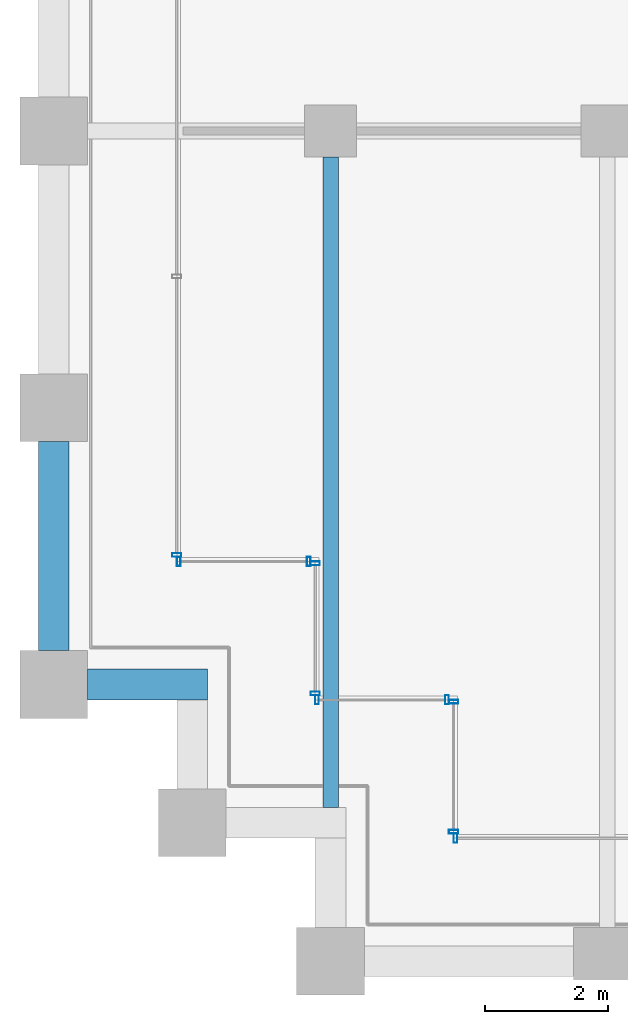
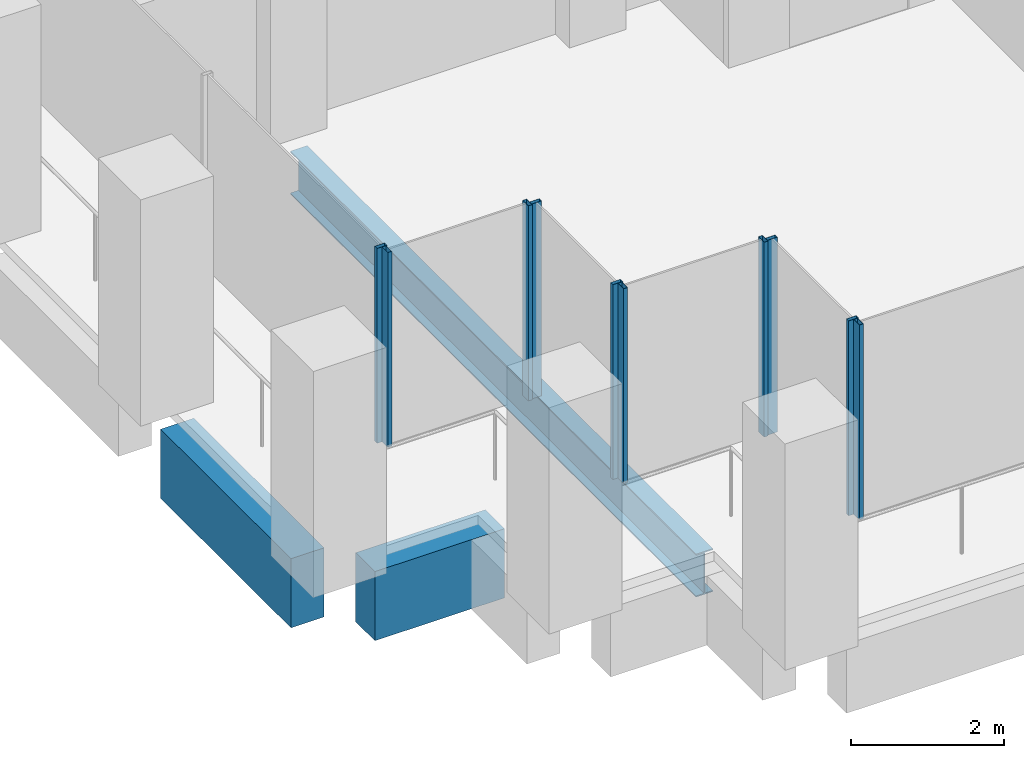
# One storey, part 2 of 56: 10 members, 3 beams, 6 elements without a shape of their own.
"""IFC4 building model written with IfcOpenShell, lengths in metres."""

from ifc_helpers import new_model, si_unit, direction, frame, origin, origin_2d, place, context, subcontext, project, spatial, rectangle, hollow_rectangle, i_section, extrude, material, material_profile, profile_set, type_object, element, aggregate, save


model = new_model("IFC4")

# Units and contexts
model_context = context("Model", 3, precision=1e-05, world=origin(), true_north=direction((0.0, 1.0)))
body_context = subcontext(model_context, "Body", "Model", "MODEL_VIEW")
ifc_project = project(units=[si_unit("LENGTHUNIT", "METRE"), si_unit("AREAUNIT", "SQUARE_METRE"), si_unit("VOLUMEUNIT", "CUBIC_METRE"), si_unit("PLANEANGLEUNIT", "RADIAN"), si_unit("MASSUNIT", "GRAM", prefix="KILO")], contexts=[model_context])

# Site, building, storey
site_placement = place(None, origin())
site = spatial("IfcSite", under=ifc_project, at=site_placement, CompositionType="ELEMENT")
building_placement = place(site_placement, origin())
building = spatial("IfcBuilding", under=site, at=building_placement, Name="Altepetl Exchange Towers", CompositionType="ELEMENT")
storey_placement = place(building_placement, frame((0.0, 0.0, 69.0)))
storey = spatial("IfcBuildingStorey", under=building, at=storey_placement, Name="L16", CompositionType="ELEMENT", Elevation=69.0)

# Beam
ifc_material_1 = material(Name="Steel S355", Category="steel")
ifc_material_profile_1 = material_profile(ifc_material_1, i_section(OverallWidth=0.25390625, OverallDepth=0.68408203125, WebThickness=0.012451171875, FlangeThickness=0.018798828125, at=origin_2d()), Name="W27X94")
ifc_profile_set_1 = profile_set([ifc_material_profile_1], Name="Steel S355")
beam_type_1 = type_object("IfcBeamType", Name="Floor beam W27X94", PredefinedType="BEAM", material=ifc_profile_set_1)
beam_1_placement = place(storey_placement, frame((31.5, 29.5, -0.491943359375), z_axis=(0.0, 1.0, 0.0), x_axis=(-1.0, 0.0, 0.0)))
element("IfcBeam", 1, at=beam_1_placement, inside=storey, type_object=beam_type_1, Name="bm:A:L16:012", PredefinedType="BEAM", context=body_context, shape_type="SweptSolid", body=[
    extrude(i_section(OverallWidth=0.25390625, OverallDepth=0.68408203125, WebThickness=0.012451171875, FlangeThickness=0.018798828125, at=origin_2d()), origin(), (0.0, 0.0, 1.0), 10.574951171875),
])

# Curtain wall, member
ifc_material_2 = material(Name="Aluminium 6063-T6 glazing", Category="aluminium")
curtain_wall_type = type_object("IfcCurtainWallType", Name="Loggia glazing system", PredefinedType="NOTDEFINED", material=ifc_material_2)
curtain_wall_1_placement = place(storey_placement, origin())
curtain_wall_1 = element("IfcCurtainWall", 2, at=curtain_wall_1_placement, inside=storey, type_object=curtain_wall_type, Name="CW1 run", PredefinedType="NOTDEFINED")
ifc_material_3 = material(Name="Aluminium 6063-T6", Category="aluminium")
ifc_material_profile_2 = material_profile(ifc_material_3, hollow_rectangle(XDim=0.06005859375, YDim=0.14990234375, WallThickness=0.0029296875, at=origin_2d()), Name="Mullion 60x150 aluminium")
ifc_profile_set_2 = profile_set([ifc_material_profile_2], Name="Aluminium 6063-T6")
member_type = type_object("IfcMemberType", Name="Mullion 60x150 aluminium", PredefinedType="MULLION", material=ifc_profile_set_2)
member_1_placement = place(storey_placement, frame((29.0, 33.60498046875, 0.0), z_axis=(0.0, 0.0, 1.0), x_axis=(0.0, -1.0, 0.0)))
member_1 = element("IfcMember", 3, at=member_1_placement, type_object=member_type, Name="MU1 mullion", PredefinedType="MULLION", context=body_context, shape_type="SweptSolid", body=[
    extrude(hollow_rectangle(XDim=0.06005859375, YDim=0.14990234375, WallThickness=0.0029296875, at=origin_2d()), origin(), (0.0, 0.0, 1.0), 3.10009765625),
])
aggregate(curtain_wall_1, [member_1])

# Curtain wall, members
curtain_wall_2_placement = place(storey_placement, origin())
curtain_wall_2 = element("IfcCurtainWall", 4, at=curtain_wall_2_placement, inside=storey, type_object=curtain_wall_type, Name="CW1 run", PredefinedType="NOTDEFINED")
member_2_placement = place(storey_placement, frame((29.030029296875, 33.5, 0.0)))
member_2 = element("IfcMember", 5, at=member_2_placement, type_object=member_type, Name="MU1 mullion", PredefinedType="MULLION", context=body_context, shape_type="SweptSolid", body=[
    extrude(hollow_rectangle(XDim=0.06005859375, YDim=0.14990234375, WallThickness=0.0029296875, at=origin_2d()), origin(), (0.0, 0.0, 1.0), 3.10009765625),
])
member_3_placement = place(storey_placement, frame((31.14501953125, 33.5, 0.0)))
member_3 = element("IfcMember", 6, at=member_3_placement, type_object=member_type, Name="MU1 mullion", PredefinedType="MULLION", context=body_context, shape_type="SweptSolid", body=[
    extrude(hollow_rectangle(XDim=0.06005859375, YDim=0.14990234375, WallThickness=0.0029296875, at=origin_2d()), origin(), (0.0, 0.0, 1.0), 3.10009765625),
])
aggregate(curtain_wall_2, [member_2, member_3])

curtain_wall_3_placement = place(storey_placement, origin())
curtain_wall_3 = element("IfcCurtainWall", 7, at=curtain_wall_3_placement, inside=storey, type_object=curtain_wall_type, Name="CW1 run", PredefinedType="NOTDEFINED")
member_4_placement = place(storey_placement, frame((31.25, 33.469970703125, 0.0), z_axis=(0.0, 0.0, 1.0), x_axis=(0.0, -1.0, 0.0)))
member_4 = element("IfcMember", 8, at=member_4_placement, type_object=member_type, Name="MU1 mullion", PredefinedType="MULLION", context=body_context, shape_type="SweptSolid", body=[
    extrude(hollow_rectangle(XDim=0.06005859375, YDim=0.14990234375, WallThickness=0.0029296875, at=origin_2d()), origin(), (0.0, 0.0, 1.0), 3.10009765625),
])
member_5_placement = place(storey_placement, frame((31.25, 31.35498046875, 0.0), z_axis=(0.0, 0.0, 1.0), x_axis=(0.0, -1.0, 0.0)))
member_5 = element("IfcMember", 9, at=member_5_placement, type_object=member_type, Name="MU1 mullion", PredefinedType="MULLION", context=body_context, shape_type="SweptSolid", body=[
    extrude(hollow_rectangle(XDim=0.06005859375, YDim=0.14990234375, WallThickness=0.0029296875, at=origin_2d()), origin(), (0.0, 0.0, 1.0), 3.10009765625),
])
aggregate(curtain_wall_3, [member_4, member_5])

curtain_wall_4_placement = place(storey_placement, origin())
curtain_wall_4 = element("IfcCurtainWall", 10, at=curtain_wall_4_placement, inside=storey, type_object=curtain_wall_type, Name="CW1 run", PredefinedType="NOTDEFINED")
member_6_placement = place(storey_placement, frame((31.280029296875, 31.25, 0.0)))
member_6 = element("IfcMember", 11, at=member_6_placement, type_object=member_type, Name="MU1 mullion", PredefinedType="MULLION", context=body_context, shape_type="SweptSolid", body=[
    extrude(hollow_rectangle(XDim=0.06005859375, YDim=0.14990234375, WallThickness=0.0029296875, at=origin_2d()), origin(), (0.0, 0.0, 1.0), 3.10009765625),
])
member_7_placement = place(storey_placement, frame((33.39501953125, 31.25, 0.0)))
member_7 = element("IfcMember", 12, at=member_7_placement, type_object=member_type, Name="MU1 mullion", PredefinedType="MULLION", context=body_context, shape_type="SweptSolid", body=[
    extrude(hollow_rectangle(XDim=0.06005859375, YDim=0.14990234375, WallThickness=0.0029296875, at=origin_2d()), origin(), (0.0, 0.0, 1.0), 3.10009765625),
])
aggregate(curtain_wall_4, [member_6, member_7])

curtain_wall_5_placement = place(storey_placement, origin())
curtain_wall_5 = element("IfcCurtainWall", 13, at=curtain_wall_5_placement, inside=storey, type_object=curtain_wall_type, Name="CW1 run", PredefinedType="NOTDEFINED")
member_8_placement = place(storey_placement, frame((33.5, 31.219970703125, 0.0), z_axis=(0.0, 0.0, 1.0), x_axis=(0.0, -1.0, 0.0)))
member_8 = element("IfcMember", 14, at=member_8_placement, type_object=member_type, Name="MU1 mullion", PredefinedType="MULLION", context=body_context, shape_type="SweptSolid", body=[
    extrude(hollow_rectangle(XDim=0.06005859375, YDim=0.14990234375, WallThickness=0.0029296875, at=origin_2d()), origin(), (0.0, 0.0, 1.0), 3.10009765625),
])
member_9_placement = place(storey_placement, frame((33.5, 29.10498046875, 0.0), z_axis=(0.0, 0.0, 1.0), x_axis=(0.0, -1.0, 0.0)))
member_9 = element("IfcMember", 15, at=member_9_placement, type_object=member_type, Name="MU1 mullion", PredefinedType="MULLION", context=body_context, shape_type="SweptSolid", body=[
    extrude(hollow_rectangle(XDim=0.06005859375, YDim=0.14990234375, WallThickness=0.0029296875, at=origin_2d()), origin(), (0.0, 0.0, 1.0), 3.10009765625),
])
aggregate(curtain_wall_5, [member_8, member_9])

# Curtain wall, member
curtain_wall_6_placement = place(storey_placement, origin())
curtain_wall_6 = element("IfcCurtainWall", 16, at=curtain_wall_6_placement, inside=storey, type_object=curtain_wall_type, Name="CW1 run", PredefinedType="NOTDEFINED")
member_10_placement = place(storey_placement, frame((33.530029296875, 29.0, 0.0)))
member_10 = element("IfcMember", 17, at=member_10_placement, type_object=member_type, Name="MU1 mullion", PredefinedType="MULLION", context=body_context, shape_type="SweptSolid", body=[
    extrude(hollow_rectangle(XDim=0.06005859375, YDim=0.14990234375, WallThickness=0.0029296875, at=origin_2d()), origin(), (0.0, 0.0, 1.0), 3.10009765625),
])
aggregate(curtain_wall_6, [member_10])

# Beams
ifc_material_4 = material(Name="Concrete C50/60 precast with cantera blanca facing", Category="concrete")
ifc_material_profile_3 = material_profile(ifc_material_4, rectangle(XDim=0.5, YDim=1.10009765625, at=origin_2d()), Name="500 x 1100")
ifc_profile_set_3 = profile_set([ifc_material_profile_3], Name="Concrete C50/60 precast with cantera blanca facing")
beam_type_2 = type_object("IfcBeamType", Name="Spandrel beam 500x1100 cantera blanca", PredefinedType="SPANDREL", material=ifc_profile_set_3)
beam_2_placement = place(storey_placement, frame((27.0, 35.449951171875, -0.699951171875), z_axis=(0.0, -1.0, 0.0), x_axis=(1.0, 0.0, 0.0)))
element("IfcBeam", 18, at=beam_2_placement, inside=storey, type_object=beam_type_2, Name="sp:A:L16:043", PredefinedType="SPANDREL", context=body_context, shape_type="SweptSolid", body=[
    extrude(rectangle(XDim=0.5, YDim=1.10009765625, at=origin_2d()), origin(), (0.0, 0.0, 1.0), 3.39990234375),
])
beam_3_placement = place(storey_placement, frame((27.550048828125, 31.5, -0.699951171875), z_axis=(1.0, 0.0, 0.0), x_axis=(0.0, 1.0, 0.0)))
element("IfcBeam", 19, at=beam_3_placement, inside=storey, type_object=beam_type_2, Name="sp:A:L16:044", PredefinedType="SPANDREL", context=body_context, shape_type="SweptSolid", body=[
    extrude(rectangle(XDim=0.5, YDim=1.10009765625, at=origin_2d()), origin(), (0.0, 0.0, 1.0), 1.949951171875),
])

save(model, "model.ifc")
